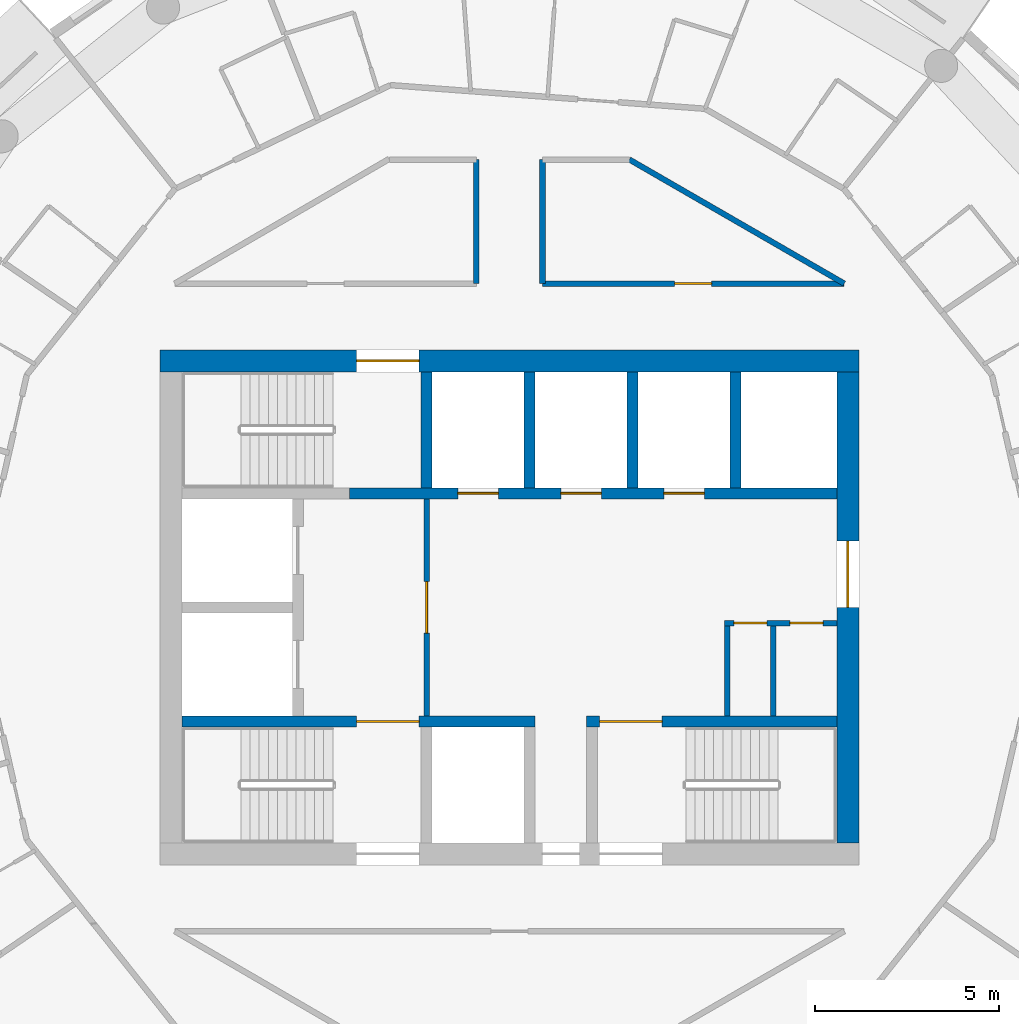
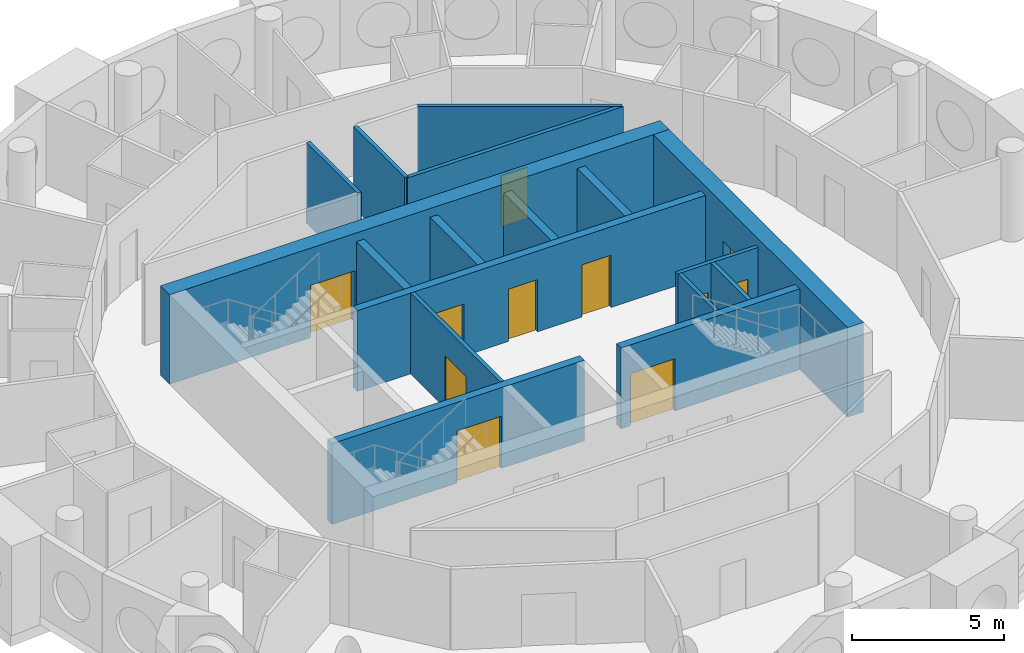
# One storey, part 8 of 13: 17 walls, 11 doors, 11 openings.
"""IFC4 building model written with IfcOpenShell, lengths in metres."""

from ifc_helpers import new_model, si_unit, direction, frame, frame_2d, origin, place, context, subcontext, project, spatial, rectangle, extrude, material, layer, layer_set, type_object, element, fill, save


model = new_model("IFC4")

# Units and contexts
model_context = context("Model", 3, precision=1e-05, world=origin(), true_north=direction((0.0, 1.0)))
body_context = subcontext(model_context, "Body", "Model", "MODEL_VIEW")
ifc_project = project(units=[si_unit("LENGTHUNIT", "METRE"), si_unit("AREAUNIT", "SQUARE_METRE"), si_unit("VOLUMEUNIT", "CUBIC_METRE"), si_unit("PLANEANGLEUNIT", "RADIAN"), si_unit("MASSUNIT", "GRAM", prefix="KILO")], contexts=[model_context])

# Site, building, storey
site_placement = place(None, origin())
site = spatial("IfcSite", under=ifc_project, at=site_placement, CompositionType="ELEMENT")
building_placement = place(site_placement, origin())
building = spatial("IfcBuilding", under=site, at=building_placement, Name="Tracery Tower", CompositionType="ELEMENT")
storey_placement = place(building_placement, frame((0.0, 0.0, 309.0)))
storey = spatial("IfcBuildingStorey", under=building, at=storey_placement, Name="L80", CompositionType="ELEMENT", Elevation=309.0)

# Wall, opening, door
ifc_material_1 = material(Name="Plasterboard on steel studs", Category="steel")
ifc_layer_1 = layer(ifc_material_1, 0.14990234375)
ifc_layer_set_1 = layer_set([ifc_layer_1], Name="Core lobby partition 150")
wall_type_1 = type_object("IfcWallType", Name="Core lobby partition 150", PredefinedType="SOLIDWALL", material=ifc_layer_set_1)
wall_1_placement = place(storey_placement, frame((-2.25, -2.949951171875, 0.0), z_axis=(0.0, 0.0, 1.0), x_axis=(0.0, 1.0, 0.0)))
wall_1 = element("IfcWall", 1, at=wall_1_placement, inside=storey, type_object=wall_type_1, Name="L80 FF lobby E", PredefinedType="SOLIDWALL", context=body_context, shape_type="SweptSolid", body=[
    extrude(rectangle(XDim=5.89990234375, YDim=0.14990234375, at=frame_2d((2.949951171875, 0.0))), origin(), (0.0, 0.0, 1.0), 3.25),
])
opening_1_placement = place(wall_1_placement, frame((2.25, 0.0, 0.0)))
opening_1 = element("IfcOpeningElement", 2, at=opening_1_placement, cuts=wall_1, Name="Opening KD8", PredefinedType="OPENING", context=body_context, shape_type="SweptSolid", body=[
    extrude(rectangle(XDim=1.39990234375, YDim=2.10009765625, at=frame_2d((0.699951171875, 1.050048828125))), frame((0.0, 0.074951171875, 0.0), z_axis=(0.0, -1.0, 0.0), x_axis=(1.0, 0.0, 0.0)), (0.0, 0.0, 1.0), 0.14990234375),
])
ifc_material_2 = material(Name="Steel fire door", Category="steel")
door_type_1 = type_object("IfcDoorType", Name="Core lobby door 1400 double", OperationType="NOTDEFINED", PredefinedType="DOOR", material=ifc_material_2)
door_1_placement = place(opening_1_placement, origin())
door_1 = element("IfcDoor", 3, at=door_1_placement, inside=storey, type_object=door_type_1, Name="Fire-fighting lobby door", OperationType="DOUBLE_DOOR_SINGLE_SWING", OverallHeight=2.10009765625, OverallWidth=1.39990234375, PredefinedType="DOOR", context=body_context, shape_type="SweptSolid", body=[
    extrude(rectangle(XDim=1.39990234375, YDim=2.10009765625, at=frame_2d((0.699951171875, 1.050048828125))), frame((0.0, 0.02490234375, 0.0), z_axis=(0.0, -1.0, 0.0), x_axis=(1.0, 0.0, 0.0)), (0.0, 0.0, 1.0), 0.050048828125),
])
fill(opening_1, door_1)

# Wall
ifc_material_3 = material(Name="Plasterboard on steel studs", Category="steel")
ifc_layer_2 = layer(ifc_material_3, 0.14990234375)
ifc_layer_set_2 = layer_set([ifc_layer_2], Name="Core room partition 150")
wall_type_2 = type_object("IfcWallType", Name="Core room partition 150", PredefinedType="SOLIDWALL", material=ifc_layer_set_2)
wall_2_placement = place(storey_placement, frame((5.925048828125, -2.949951171875, 0.0), z_axis=(0.0, 0.0, 1.0), x_axis=(0.0, 1.0, 0.0)))
element("IfcWall", 4, at=wall_2_placement, inside=storey, type_object=wall_type_2, Name="L80 slot W", PredefinedType="SOLIDWALL", context=body_context, shape_type="SweptSolid", body=[
    extrude(rectangle(XDim=2.449951171875, YDim=0.14990234375, at=frame_2d((1.22509765625, 0.0))), origin(), (0.0, 0.0, 1.0), 3.25),
])

# Wall, openings, doors
wall_3_placement = place(storey_placement, frame((5.85009765625, -0.425048828125, 0.0), z_axis=(0.0, 0.0, 1.0), x_axis=(1.0, 0.0, 0.0)))
wall_3 = element("IfcWall", 5, at=wall_3_placement, inside=storey, type_object=wall_type_2, Name="L80 slot N", PredefinedType="SOLIDWALL", context=body_context, shape_type="SweptSolid", body=[
    extrude(rectangle(XDim=3.0498046875, YDim=0.14990234375, at=frame_2d((1.52490234375, 0.0))), origin(), (0.0, 0.0, 1.0), 3.25),
])
opening_2_placement = place(wall_3_placement, frame((0.25, 0.0, 0.0)))
opening_2 = element("IfcOpeningElement", 6, at=opening_2_placement, cuts=wall_3, Name="Opening KD27", PredefinedType="OPENING", context=body_context, shape_type="SweptSolid", body=[
    extrude(rectangle(XDim=0.89990234375, YDim=2.10009765625, at=frame_2d((0.449951171875, 1.050048828125))), frame((0.0, 0.074951171875, 0.0), z_axis=(0.0, -1.0, 0.0), x_axis=(1.0, 0.0, 0.0)), (0.0, 0.0, 1.0), 0.14990234375),
])
opening_3_placement = place(wall_3_placement, frame((1.77490234375, 0.0, 0.0)))
opening_3 = element("IfcOpeningElement", 7, at=opening_3_placement, cuts=wall_3, Name="Opening KD21", PredefinedType="OPENING", context=body_context, shape_type="SweptSolid", body=[
    extrude(rectangle(XDim=0.89990234375, YDim=2.10009765625, at=frame_2d((0.449951171875, 1.050048828125))), frame((0.0, 0.074951171875, 0.0), z_axis=(0.0, -1.0, 0.0), x_axis=(1.0, 0.0, 0.0)), (0.0, 0.0, 1.0), 0.14990234375),
])
ifc_material_4 = material(Name="Timber door leaf", Category="wood")
door_type_2 = type_object("IfcDoorType", Name="Core WC door 900", OperationType="NOTDEFINED", PredefinedType="DOOR", material=ifc_material_4)
door_2_placement = place(opening_3_placement, origin())
door_2 = element("IfcDoor", 8, at=door_2_placement, inside=storey, type_object=door_type_2, Name="Core door", OperationType="SINGLE_SWING_LEFT", OverallHeight=2.10009765625, OverallWidth=0.89990234375, PredefinedType="DOOR", context=body_context, shape_type="SweptSolid", body=[
    extrude(rectangle(XDim=0.89990234375, YDim=2.10009765625, at=frame_2d((0.449951171875, 1.050048828125))), frame((0.0, 0.02490234375, 0.0), z_axis=(0.0, -1.0, 0.0), x_axis=(1.0, 0.0, 0.0)), (0.0, 0.0, 1.0), 0.050048828125),
])
fill(opening_3, door_2)
ifc_material_5 = material(Name="Timber door leaf", Category="wood")
door_type_3 = type_object("IfcDoorType", Name="Core store door 900", OperationType="NOTDEFINED", PredefinedType="DOOR", material=ifc_material_5)
door_3_placement = place(opening_2_placement, origin())
door_3 = element("IfcDoor", 9, at=door_3_placement, inside=storey, type_object=door_type_3, Name="Core door", OperationType="SINGLE_SWING_RIGHT", OverallHeight=2.10009765625, OverallWidth=0.89990234375, PredefinedType="DOOR", context=body_context, shape_type="SweptSolid", body=[
    extrude(rectangle(XDim=0.89990234375, YDim=2.10009765625, at=frame_2d((0.449951171875, 1.050048828125))), frame((0.0, 0.02490234375, 0.0), z_axis=(0.0, -1.0, 0.0), x_axis=(1.0, 0.0, 0.0)), (0.0, 0.0, 1.0), 0.050048828125),
])
fill(opening_2, door_3)

# Wall
wall_4_placement = place(storey_placement, frame((7.175048828125, -2.949951171875, 0.0), z_axis=(0.0, 0.0, 1.0), x_axis=(0.0, 1.0, 0.0)))
element("IfcWall", 10, at=wall_4_placement, inside=storey, type_object=wall_type_2, Name="L80 slot sep 1", PredefinedType="SOLIDWALL", context=body_context, shape_type="SweptSolid", body=[
    extrude(rectangle(XDim=2.449951171875, YDim=0.14990234375, at=frame_2d((1.22509765625, 0.0))), origin(), (0.0, 0.0, 1.0), 3.25),
])

# Wall, opening, door
ifc_material_6 = material(Name="Concrete C40/50", Category="concrete")
ifc_layer_3 = layer(ifc_material_6, 0.60009765625)
ifc_layer_set_3 = layer_set([ifc_layer_3], Name="Core wall 600 C40")
wall_type_3 = type_object("IfcWallType", Name="Core wall 600 C40", PredefinedType="SOLIDWALL", material=ifc_layer_set_3)
wall_5_placement = place(storey_placement, frame((-9.5, 6.699951171875, 0.0), z_axis=(0.0, 0.0, 1.0), x_axis=(1.0, 0.0, 0.0)))
wall_5 = element("IfcWall", 11, at=wall_5_placement, inside=storey, type_object=wall_type_3, Name="L80 outer N", PredefinedType="SOLIDWALL", context=body_context, shape_type="SweptSolid", body=[
    extrude(rectangle(XDim=19.0, YDim=0.60009765625, at=frame_2d((9.5, 0.0))), origin(), (0.0, 0.0, 1.0), 3.60009765625),
])
opening_4_placement = place(wall_5_placement, frame((5.35009765625, 0.0, 0.0)))
opening_4 = element("IfcOpeningElement", 12, at=opening_4_placement, cuts=wall_5, Name="Opening KD3", PredefinedType="OPENING", context=body_context, shape_type="SweptSolid", body=[
    extrude(rectangle(XDim=1.699951171875, YDim=2.10009765625, at=frame_2d((0.85009765625, 1.050048828125))), frame((0.0, 0.300048828125, 0.0), z_axis=(0.0, -1.0, 0.0), x_axis=(1.0, 0.0, 0.0)), (0.0, 0.0, 1.0), 0.60009765625),
])
ifc_material_7 = material(Name="Steel fire door", Category="steel")
door_type_4 = type_object("IfcDoorType", Name="Core stair door 1700 double", OperationType="NOTDEFINED", PredefinedType="DOOR", material=ifc_material_7)
door_4_placement = place(opening_4_placement, origin())
door_4 = element("IfcDoor", 13, at=door_4_placement, inside=storey, type_object=door_type_4, Name="Stair door ST3 exit", OperationType="DOUBLE_DOOR_SINGLE_SWING", OverallHeight=2.10009765625, OverallWidth=1.699951171875, PredefinedType="DOOR", context=body_context, shape_type="SweptSolid", body=[
    extrude(rectangle(XDim=1.699951171875, YDim=2.10009765625, at=frame_2d((0.85009765625, 1.050048828125))), frame((0.0, 0.02490234375, 0.0), z_axis=(0.0, -1.0, 0.0), x_axis=(1.0, 0.0, 0.0)), (0.0, 0.0, 1.0), 0.050048828125),
])
fill(opening_4, door_4)

wall_6_placement = place(storey_placement, frame((9.199951171875, -6.39990234375, 0.0), z_axis=(0.0, 0.0, 1.0), x_axis=(0.0, 1.0, 0.0)))
wall_6 = element("IfcWall", 14, at=wall_6_placement, inside=storey, type_object=wall_type_3, Name="L80 outer E", PredefinedType="SOLIDWALL", context=body_context, shape_type="SweptSolid", body=[
    extrude(rectangle(XDim=12.7998046875, YDim=0.60009765625, at=frame_2d((6.39990234375, 0.0))), origin(), (0.0, 0.0, 1.0), 3.60009765625),
])
opening_5_placement = place(wall_6_placement, frame((6.39990234375, 0.0, 0.0)))
opening_5 = element("IfcOpeningElement", 15, at=opening_5_placement, cuts=wall_6, Name="Opening KD13", PredefinedType="OPENING", context=body_context, shape_type="SweptSolid", body=[
    extrude(rectangle(XDim=1.800048828125, YDim=2.10009765625, at=frame_2d((0.89990234375, 1.050048828125))), frame((0.0, 0.300048828125, 0.0), z_axis=(0.0, -1.0, 0.0), x_axis=(1.0, 0.0, 0.0)), (0.0, 0.0, 1.0), 0.60009765625),
])
ifc_material_8 = material(Name="Steel fire door", Category="steel")
door_type_5 = type_object("IfcDoorType", Name="Core exit door 1800 double", OperationType="NOTDEFINED", PredefinedType="DOOR", material=ifc_material_8)
door_5_placement = place(opening_5_placement, origin())
door_5 = element("IfcDoor", 16, at=door_5_placement, inside=storey, type_object=door_type_5, Name="Core exit door", OperationType="DOUBLE_DOOR_SINGLE_SWING", OverallHeight=2.10009765625, OverallWidth=1.800048828125, PredefinedType="DOOR", context=body_context, shape_type="SweptSolid", body=[
    extrude(rectangle(XDim=1.800048828125, YDim=2.10009765625, at=frame_2d((0.89990234375, 1.050048828125))), frame((0.0, 0.02490234375, 0.0), z_axis=(0.0, -1.0, 0.0), x_axis=(1.0, 0.0, 0.0)), (0.0, 0.0, 1.0), 0.050048828125),
])
fill(opening_5, door_5)

ifc_material_9 = material(Name="Plasterboard on steel studs", Category="steel")
ifc_layer_4 = layer(ifc_material_9, 0.14990234375)
ifc_layer_set_4 = layer_set([ifc_layer_4], Name="Partition 150 corridor wall")
wall_type_4 = type_object("IfcWallType", Name="Partition 150 corridor wall", PredefinedType="PARTITIONING", material=ifc_layer_set_4)
wall_7_placement = place(storey_placement, frame((0.89599609375, 8.800048828125, 0.0), z_axis=(0.0, 0.0, 1.0), x_axis=(1.0, 0.0, 0.0)))
wall_7 = element("IfcWall", 17, at=wall_7_placement, inside=storey, type_object=wall_type_4, Name="Corridor wall RC8-003", PredefinedType="PARTITIONING", context=body_context, shape_type="SweptSolid", body=[
    extrude(rectangle(XDim=8.20458984375, YDim=0.14990234375, at=frame_2d((4.102294921875, 0.0))), origin(), (0.0, 0.0, 1.0), 3.25),
])
opening_6_placement = place(wall_7_placement, frame((3.597900390625, 0.0, 0.0)))
opening_6 = element("IfcOpeningElement", 18, at=opening_6_placement, cuts=wall_7, Name="Opening RC8-02", PredefinedType="OPENING", context=body_context, shape_type="SweptSolid", body=[
    extrude(rectangle(XDim=1.0, YDim=2.0400390625, at=frame_2d((0.5, 1.02001953125))), frame((0.0, 0.074951171875, 0.0), z_axis=(0.0, -1.0, 0.0), x_axis=(1.0, 0.0, 0.0)), (0.0, 0.0, 1.0), 0.14990234375),
])
ifc_material_10 = material(Name="Timber door leaf", Category="wood")
door_type_6 = type_object("IfcDoorType", Name="Door communal room 1000", OperationType="NOTDEFINED", PredefinedType="DOOR", material=ifc_material_10)
door_6_placement = place(opening_6_placement, origin())
door_6 = element("IfcDoor", 19, at=door_6_placement, inside=storey, type_object=door_type_6, Name="Communal room door RC8-02", OperationType="SINGLE_SWING_RIGHT", OverallHeight=2.0400390625, OverallWidth=1.0, PredefinedType="DOOR", context=body_context, shape_type="SweptSolid", body=[
    extrude(rectangle(XDim=1.0, YDim=2.0400390625, at=frame_2d((0.5, 1.02001953125))), frame((0.0, 0.02490234375, 0.0), z_axis=(0.0, -1.0, 0.0), x_axis=(1.0, 0.0, 0.0)), (0.0, 0.0, 1.0), 0.050048828125),
])
fill(opening_6, door_6)

# Walls
wall_8_placement = place(storey_placement, frame((-0.89990234375, 8.800048828125, 0.0), z_axis=(0.0, 0.0, 1.0), x_axis=(0.0, 1.0, 0.0)))
element("IfcWall", 20, at=wall_8_placement, inside=storey, type_object=wall_type_4, Name="Corridor wall RC8-025", PredefinedType="PARTITIONING", context=body_context, shape_type="SweptSolid", body=[
    extrude(rectangle(XDim=3.370849609375, YDim=0.14990234375, at=frame_2d((1.685546875, 0.0))), origin(), (0.0, 0.0, 1.0), 3.25),
])
wall_9_placement = place(storey_placement, frame((3.260986328125, 12.1708984375, 0.0), z_axis=(0.0, 0.0, 1.0), x_axis=(0.866066809554, -0.499928276245, 0.0)))
element("IfcWall", 21, at=wall_9_placement, inside=storey, type_object=wall_type_4, Name="Corridor wall RC8-027", PredefinedType="PARTITIONING", context=body_context, shape_type="SweptSolid", body=[
    extrude(rectangle(XDim=6.74267578125, YDim=0.14990234375, at=frame_2d((3.371337890625, 0.0))), origin(), (0.0, 0.0, 1.0), 3.25),
])
wall_10_placement = place(storey_placement, frame((0.89990234375, 8.800048828125, 0.0), z_axis=(0.0, 0.0, 1.0), x_axis=(0.0, 1.0, 0.0)))
element("IfcWall", 22, at=wall_10_placement, inside=storey, type_object=wall_type_4, Name="Corridor wall RC8-029", PredefinedType="PARTITIONING", context=body_context, shape_type="SweptSolid", body=[
    extrude(rectangle(XDim=3.370849609375, YDim=0.14990234375, at=frame_2d((1.685546875, 0.0))), origin(), (0.0, 0.0, 1.0), 3.25),
])
ifc_material_11 = material(Name="Concrete C40/50", Category="concrete")
ifc_layer_5 = layer(ifc_material_11, 0.300048828125)
ifc_layer_set_5 = layer_set([ifc_layer_5], Name="Shaft wall 300 C40")
wall_type_5 = type_object("IfcWallType", Name="Shaft wall 300 C40", PredefinedType="SOLIDWALL", material=ifc_layer_set_5)
for number, where, z_axis, x_axis, name in (
    (23, (0.550048828125, 3.25, 0.0), (0.0, 0.0, 1.0), (0.0, 1.0, 0.0), "L80 HR sep 1"),
    (24, (3.35009765625, 3.25, 0.0), (0.0, 0.0, 1.0), (0.0, 1.0, 0.0), "L80 HR sep 2"),
    (25, (6.14990234375, 3.25, 0.0), (0.0, 0.0, 1.0), (0.0, 1.0, 0.0), "L80 HR sep 3"),
):
    element("IfcWall", number, at=place(storey_placement, frame(where, z_axis=z_axis, x_axis=x_axis)), inside=storey, type_object=wall_type_5, Name=name, PredefinedType="SOLIDWALL", context=body_context, shape_type="SweptSolid", body=[
        extrude(rectangle(XDim=3.14990234375, YDim=0.300048828125, at=frame_2d((1.574951171875, 0.0))), origin(), (0.0, 0.0, 1.0), 3.25),
    ])

# Wall, opening, door
ifc_material_12 = material(Name="Concrete C40/50", Category="concrete")
ifc_layer_6 = layer(ifc_material_12, 0.300048828125)
ifc_layer_set_6 = layer_set([ifc_layer_6], Name="Stair wall 300 C40")
wall_type_6 = type_object("IfcWallType", Name="Stair wall 300 C40", PredefinedType="SOLIDWALL", material=ifc_layer_set_6)
wall_11_placement = place(storey_placement, frame((-8.89990234375, -3.10009765625, 0.0), z_axis=(0.0, 0.0, 1.0), x_axis=(1.0, 0.0, 0.0)))
wall_11 = element("IfcWall", 26, at=wall_11_placement, inside=storey, type_object=wall_type_6, Name="L80 row S", PredefinedType="SOLIDWALL", context=body_context, shape_type="SweptSolid", body=[
    extrude(rectangle(XDim=9.599853515625, YDim=0.300048828125, at=frame_2d((4.7998046875, 0.0))), origin(), (0.0, 0.0, 1.0), 3.25),
])
opening_7_placement = place(wall_11_placement, frame((4.75, 0.0, 0.0)))
opening_7 = element("IfcOpeningElement", 27, at=opening_7_placement, cuts=wall_11, Name="Opening KD3", PredefinedType="OPENING", context=body_context, shape_type="SweptSolid", body=[
    extrude(rectangle(XDim=1.699951171875, YDim=2.10009765625, at=frame_2d((0.85009765625, 1.050048828125))), frame((0.0, 0.14990234375, 0.0), z_axis=(0.0, -1.0, 0.0), x_axis=(1.0, 0.0, 0.0)), (0.0, 0.0, 1.0), 0.300048828125),
])
door_7_placement = place(opening_7_placement, origin())
door_7 = element("IfcDoor", 28, at=door_7_placement, inside=storey, type_object=door_type_4, Name="Stair door ST1", OperationType="DOUBLE_DOOR_SINGLE_SWING", OverallHeight=2.10009765625, OverallWidth=1.699951171875, PredefinedType="DOOR", context=body_context, shape_type="SweptSolid", body=[
    extrude(rectangle(XDim=1.699951171875, YDim=2.10009765625, at=frame_2d((0.85009765625, 1.050048828125))), frame((0.0, 0.02490234375, 0.0), z_axis=(0.0, -1.0, 0.0), x_axis=(1.0, 0.0, 0.0)), (0.0, 0.0, 1.0), 0.050048828125),
])
fill(opening_7, door_7)

wall_12_placement = place(storey_placement, frame((2.10009765625, -3.10009765625, 0.0), z_axis=(0.0, 0.0, 1.0), x_axis=(1.0, 0.0, 0.0)))
wall_12 = element("IfcWall", 29, at=wall_12_placement, inside=storey, type_object=wall_type_6, Name="L80 row S E", PredefinedType="SOLIDWALL", context=body_context, shape_type="SweptSolid", body=[
    extrude(rectangle(XDim=6.7998046875, YDim=0.300048828125, at=frame_2d((3.39990234375, 0.0))), origin(), (0.0, 0.0, 1.0), 3.25),
])
opening_8_placement = place(wall_12_placement, frame((0.35009765625, 0.0, 0.0)))
opening_8 = element("IfcOpeningElement", 30, at=opening_8_placement, cuts=wall_12, Name="Opening KD3", PredefinedType="OPENING", context=body_context, shape_type="SweptSolid", body=[
    extrude(rectangle(XDim=1.699951171875, YDim=2.10009765625, at=frame_2d((0.85009765625, 1.050048828125))), frame((0.0, 0.14990234375, 0.0), z_axis=(0.0, -1.0, 0.0), x_axis=(1.0, 0.0, 0.0)), (0.0, 0.0, 1.0), 0.300048828125),
])
door_8_placement = place(opening_8_placement, origin())
door_8 = element("IfcDoor", 31, at=door_8_placement, inside=storey, type_object=door_type_4, Name="Stair door ST2", OperationType="DOUBLE_DOOR_SINGLE_SWING", OverallHeight=2.10009765625, OverallWidth=1.699951171875, PredefinedType="DOOR", context=body_context, shape_type="SweptSolid", body=[
    extrude(rectangle(XDim=1.699951171875, YDim=2.10009765625, at=frame_2d((0.85009765625, 1.050048828125))), frame((0.0, 0.02490234375, 0.0), z_axis=(0.0, -1.0, 0.0), x_axis=(1.0, 0.0, 0.0)), (0.0, 0.0, 1.0), 0.050048828125),
])
fill(opening_8, door_8)

# Wall, openings, doors
wall_13_placement = place(storey_placement, frame((-4.35009765625, 3.10009765625, 0.0), z_axis=(0.0, 0.0, 1.0), x_axis=(1.0, 0.0, 0.0)))
wall_13 = element("IfcWall", 32, at=wall_13_placement, inside=storey, type_object=wall_type_6, Name="L80 row N", PredefinedType="SOLIDWALL", context=body_context, shape_type="SweptSolid", body=[
    extrude(rectangle(XDim=13.25, YDim=0.300048828125, at=frame_2d((6.625, 0.0))), origin(), (0.0, 0.0, 1.0), 3.25),
])
opening_9_placement = place(wall_13_placement, frame((2.949951171875, 0.0, 0.0)))
opening_9 = element("IfcOpeningElement", 33, at=opening_9_placement, cuts=wall_13, Name="Opening KD49", PredefinedType="OPENING", context=body_context, shape_type="SweptSolid", body=[
    extrude(rectangle(XDim=1.10009765625, YDim=2.10009765625, at=frame_2d((0.550048828125, 1.050048828125))), frame((0.0, 0.14990234375, 0.0), z_axis=(0.0, -1.0, 0.0), x_axis=(1.0, 0.0, 0.0)), (0.0, 0.0, 1.0), 0.300048828125),
])
opening_10_placement = place(wall_13_placement, frame((5.75, 0.0, 0.0)))
opening_10 = element("IfcOpeningElement", 34, at=opening_10_placement, cuts=wall_13, Name="Opening KD50", PredefinedType="OPENING", context=body_context, shape_type="SweptSolid", body=[
    extrude(rectangle(XDim=1.10009765625, YDim=2.10009765625, at=frame_2d((0.550048828125, 1.050048828125))), frame((0.0, 0.14990234375, 0.0), z_axis=(0.0, -1.0, 0.0), x_axis=(1.0, 0.0, 0.0)), (0.0, 0.0, 1.0), 0.300048828125),
])
opening_11_placement = place(wall_13_placement, frame((8.550048828125, 0.0, 0.0)))
opening_11 = element("IfcOpeningElement", 35, at=opening_11_placement, cuts=wall_13, Name="Opening KD49", PredefinedType="OPENING", context=body_context, shape_type="SweptSolid", body=[
    extrude(rectangle(XDim=1.10009765625, YDim=2.10009765625, at=frame_2d((0.550048828125, 1.050048828125))), frame((0.0, 0.14990234375, 0.0), z_axis=(0.0, -1.0, 0.0), x_axis=(1.0, 0.0, 0.0)), (0.0, 0.0, 1.0), 0.300048828125),
])
ifc_material_13 = material(Name="Steel fire door", Category="steel")
door_type_7 = type_object("IfcDoorType", Name="Landing door 1100", OperationType="NOTDEFINED", PredefinedType="DOOR", material=ifc_material_13)
door_9_placement = place(opening_9_placement, origin())
door_9 = element("IfcDoor", 36, at=door_9_placement, inside=storey, type_object=door_type_7, Name="Landing door HR1", OperationType="SLIDING_TO_LEFT", OverallHeight=2.10009765625, OverallWidth=1.10009765625, PredefinedType="DOOR", context=body_context, shape_type="SweptSolid", body=[
    extrude(rectangle(XDim=1.10009765625, YDim=2.10009765625, at=frame_2d((0.550048828125, 1.050048828125))), frame((0.0, 0.02490234375, 0.0), z_axis=(0.0, -1.0, 0.0), x_axis=(1.0, 0.0, 0.0)), (0.0, 0.0, 1.0), 0.050048828125),
])
fill(opening_9, door_9)
door_10_placement = place(opening_10_placement, origin())
door_10 = element("IfcDoor", 37, at=door_10_placement, inside=storey, type_object=door_type_7, Name="Landing door HR2", OperationType="SLIDING_TO_RIGHT", OverallHeight=2.10009765625, OverallWidth=1.10009765625, PredefinedType="DOOR", context=body_context, shape_type="SweptSolid", body=[
    extrude(rectangle(XDim=1.10009765625, YDim=2.10009765625, at=frame_2d((0.550048828125, 1.050048828125))), frame((0.0, 0.02490234375, 0.0), z_axis=(0.0, -1.0, 0.0), x_axis=(1.0, 0.0, 0.0)), (0.0, 0.0, 1.0), 0.050048828125),
])
fill(opening_10, door_10)
door_11_placement = place(opening_11_placement, origin())
door_11 = element("IfcDoor", 38, at=door_11_placement, inside=storey, type_object=door_type_7, Name="Landing door HR3", OperationType="SLIDING_TO_LEFT", OverallHeight=2.10009765625, OverallWidth=1.10009765625, PredefinedType="DOOR", context=body_context, shape_type="SweptSolid", body=[
    extrude(rectangle(XDim=1.10009765625, YDim=2.10009765625, at=frame_2d((0.550048828125, 1.050048828125))), frame((0.0, 0.02490234375, 0.0), z_axis=(0.0, -1.0, 0.0), x_axis=(1.0, 0.0, 0.0)), (0.0, 0.0, 1.0), 0.050048828125),
])
fill(opening_11, door_11)

# Wall
wall_14_placement = place(storey_placement, frame((-2.25, 3.25, 0.0), z_axis=(0.0, 0.0, 1.0), x_axis=(0.0, 1.0, 0.0)))
element("IfcWall", 39, at=wall_14_placement, inside=storey, type_object=wall_type_6, Name="L80 ST3 E", PredefinedType="SOLIDWALL", context=body_context, shape_type="SweptSolid", body=[
    extrude(rectangle(XDim=3.14990234375, YDim=0.300048828125, at=frame_2d((1.574951171875, 0.0))), origin(), (0.0, 0.0, 1.0), 3.25),
])

save(model, "model.ifc")
